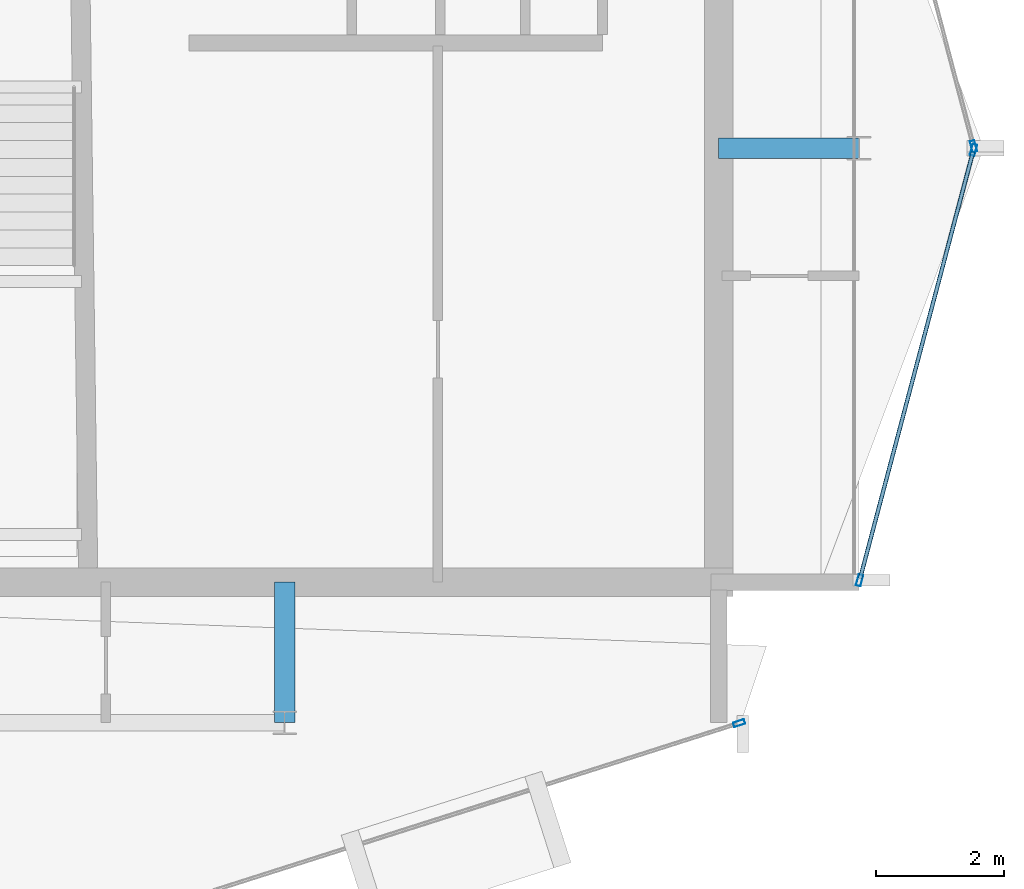
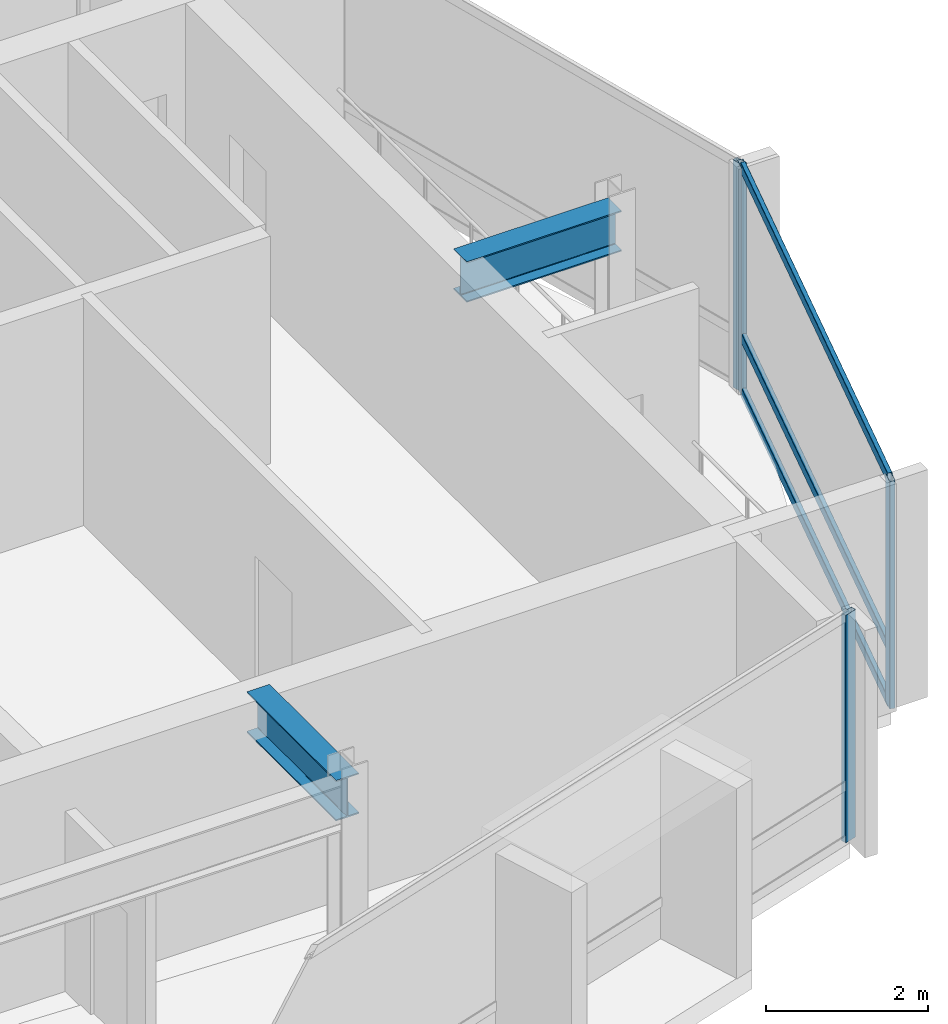
# One storey, part 9 of 19: 7 members, 2 beams, 3 elements without a shape of their own.
"""IFC4 building model written with IfcOpenShell, lengths in metres."""

from ifc_helpers import new_model, si_unit, direction, frame, origin, origin_2d, place, context, subcontext, project, spatial, hollow_rectangle, i_section, extrude, material, layer, layer_set, material_profile, profile_set, type_object, element, aggregate, save


model = new_model("IFC4")

# Units and contexts
model_context = context("Model", 3, precision=1e-05, world=origin(), true_north=direction((0.0, 1.0)))
body_context = subcontext(model_context, "Body", "Model", "MODEL_VIEW")
ifc_project = project(units=[si_unit("LENGTHUNIT", "METRE"), si_unit("AREAUNIT", "SQUARE_METRE"), si_unit("VOLUMEUNIT", "CUBIC_METRE"), si_unit("PLANEANGLEUNIT", "RADIAN"), si_unit("MASSUNIT", "GRAM", prefix="KILO")], contexts=[model_context])

# Site, building, storey
site_placement = place(None, origin())
site = spatial("IfcSite", under=ifc_project, at=site_placement, CompositionType="ELEMENT")
building_placement = place(site_placement, origin())
building = spatial("IfcBuilding", under=site, at=building_placement, Name="Solvaryn Broadcast Tower", CompositionType="ELEMENT")
storey_placement = place(building_placement, frame((0.0, 0.0, 290.0)))
storey = spatial("IfcBuildingStorey", under=building, at=storey_placement, Name="L73", CompositionType="ELEMENT", Elevation=290.0)

# Beams
ifc_material_1 = material(Name="Steel ASTM A992 Grade 50", Category="steel")
ifc_material_profile_1 = material_profile(ifc_material_1, i_section(OverallWidth=0.323974609375, OverallDepth=0.611083984375, WebThickness=0.0126953125, FlangeThickness=0.01904296875, FilletRadius=0.014892578125, at=origin_2d()))
ifc_profile_set_1 = profile_set([ifc_material_profile_1], Name="Steel ASTM A992 Grade 50")
beam_type = type_object("IfcBeamType", Name="BM-B1-W24X104", PredefinedType="BEAM", material=ifc_profile_set_1)
for number, where, z_axis, x_axis, name in (
    (1, (36.0, 9.0, 3.114501953125), (0.0, 1.0, 0.0), (-1.0, 0.0, 0.0), "L73 Core Tie Beam CTE1"),
    (2, (42.800048828125, 18.0, 3.114501953125), (1.0, 0.0, 0.0), (0.0, 1.0, 0.0), "L73 Core Tie Beam CTE3"),
):
    element("IfcBeam", number, at=place(storey_placement, frame(where, z_axis=z_axis, x_axis=x_axis)), inside=storey, type_object=beam_type, Name=name, PredefinedType="BEAM", context=body_context, shape_type="SweptSolid", body=[
        extrude(i_section(OverallWidth=0.323974609375, OverallDepth=0.611083984375, WebThickness=0.0126953125, FlangeThickness=0.01904296875, FilletRadius=0.014892578125, at=origin_2d()), origin(), (0.0, 0.0, 1.0), 2.199951171875),
    ])

# Curtain wall, member
ifc_material_2 = material(Name="Aluminium and Terracotta Unitised Curtain Wall", Category="masonry")
ifc_layer = layer(ifc_material_2, 0.199951171875)
ifc_layer_set = layer_set([ifc_layer], Name="CW-SYS2-LOWMID")
curtain_wall_type = type_object("IfcCurtainWallType", Name="CW-SYS2-LOWMID", PredefinedType="NOTDEFINED", material=ifc_layer_set)
curtain_wall_1_placement = place(storey_placement, origin())
curtain_wall_1 = element("IfcCurtainWall", 3, at=curtain_wall_1_placement, inside=storey, type_object=curtain_wall_type, Name="L73 Curtain Wall DR4", PredefinedType="NOTDEFINED")
ifc_material_3 = material(Name="Anodised Aluminium 6063-T6", Category="aluminium")
ifc_material_profile_2 = material_profile(ifc_material_3, hollow_rectangle(XDim=0.074951171875, YDim=0.179931640625, WallThickness=0.00390625, InnerFilletRadius=0.00390625, OuterFilletRadius=0.008056640625, at=origin_2d()))
ifc_profile_set_2 = profile_set([ifc_material_profile_2], Name="Anodised Aluminium 6063-T6")
member_type_1 = type_object("IfcMemberType", Name="CW-MUL-180", PredefinedType="MULLION", material=ifc_profile_set_2)
member_1_placement = place(storey_placement, frame((43.120361328125, 8.990966796875, 0.0), z_axis=(0.0, 0.0, 1.0), x_axis=(-0.30361564569, 0.952794594701, 0.0)))
member_1 = element("IfcMember", 4, at=member_1_placement, type_object=member_type_1, Name="CWS2 mullion 2", PredefinedType="MULLION", context=body_context, shape_type="SweptSolid", body=[
    extrude(hollow_rectangle(XDim=0.074951171875, YDim=0.179931640625, WallThickness=0.00390625, InnerFilletRadius=0.00390625, OuterFilletRadius=0.008056640625, at=origin_2d()), origin(), (0.0, 0.0, 1.0), 3.419921875),
])
aggregate(curtain_wall_1, [member_1])

curtain_wall_2_placement = place(storey_placement, origin())
curtain_wall_2 = element("IfcCurtainWall", 5, at=curtain_wall_2_placement, inside=storey, type_object=curtain_wall_type, Name="L73 Curtain Wall ET1", PredefinedType="NOTDEFINED")
member_2_placement = place(storey_placement, frame((46.792236328125, 18.029052734375, 0.0), z_axis=(0.0, 0.0, 1.0), x_axis=(0.966705227863, 0.25589256031, 0.0)))
member_2 = element("IfcMember", 6, at=member_2_placement, type_object=member_type_1, Name="CWS2 mullion 2", PredefinedType="MULLION", context=body_context, shape_type="SweptSolid", body=[
    extrude(hollow_rectangle(XDim=0.074951171875, YDim=0.179931640625, WallThickness=0.00390625, InnerFilletRadius=0.00390625, OuterFilletRadius=0.008056640625, at=origin_2d()), origin(), (0.0, 0.0, 1.0), 3.419921875),
])
aggregate(curtain_wall_2, [member_2])

# Curtain wall, members
curtain_wall_3_placement = place(storey_placement, origin())
curtain_wall_3 = element("IfcCurtainWall", 7, at=curtain_wall_3_placement, inside=storey, type_object=curtain_wall_type, Name="L73 Curtain Wall ET2", PredefinedType="NOTDEFINED")
member_3_placement = place(storey_placement, frame((46.792236328125, 17.970947265625, 0.0), z_axis=(0.0, 0.0, 1.0), x_axis=(0.966705227863, -0.25589256031, 0.0)))
member_3 = element("IfcMember", 8, at=member_3_placement, type_object=member_type_1, Name="CWS2 mullion 1", PredefinedType="MULLION", context=body_context, shape_type="SweptSolid", body=[
    extrude(hollow_rectangle(XDim=0.074951171875, YDim=0.179931640625, WallThickness=0.00390625, InnerFilletRadius=0.00390625, OuterFilletRadius=0.008056640625, at=origin_2d()), origin(), (0.0, 0.0, 1.0), 3.419921875),
])
member_4_placement = place(storey_placement, frame((45.007568359375, 11.22900390625, 0.0), z_axis=(0.0, 0.0, 1.0), x_axis=(0.966705227863, -0.25589256031, 0.0)))
member_4 = element("IfcMember", 9, at=member_4_placement, type_object=member_type_1, Name="CWS2 mullion 2", PredefinedType="MULLION", context=body_context, shape_type="SweptSolid", body=[
    extrude(hollow_rectangle(XDim=0.074951171875, YDim=0.179931640625, WallThickness=0.00390625, InnerFilletRadius=0.00390625, OuterFilletRadius=0.008056640625, at=origin_2d()), origin(), (0.0, 0.0, 1.0), 3.419921875),
])
ifc_material_4 = material(Name="Anodised Aluminium 6063-T6", Category="aluminium")
ifc_material_profile_3 = material_profile(ifc_material_4, hollow_rectangle(XDim=0.06494140625, YDim=0.14990234375, WallThickness=0.00390625, InnerFilletRadius=0.00390625, OuterFilletRadius=0.008056640625, at=origin_2d()))
ifc_profile_set_3 = profile_set([ifc_material_profile_3], Name="Anodised Aluminium 6063-T6")
member_type_2 = type_object("IfcMemberType", Name="CW-TRN-150", PredefinedType="USERDEFINED", material=ifc_profile_set_3)
member_5_placement = place(storey_placement, frame((46.78466796875, 17.94189453125, 0.030029296875), z_axis=(-0.255897413051, -0.966703943301, 0.0), x_axis=(0.966703943301, -0.255897413051, 0.0)))
member_5 = element("IfcMember", 10, at=member_5_placement, type_object=member_type_2, Name="CWS2 transom 1.1", ObjectType="TRANSOM", PredefinedType="USERDEFINED", context=body_context, shape_type="SweptSolid", body=[
    extrude(hollow_rectangle(XDim=0.06494140625, YDim=0.14990234375, WallThickness=0.00390625, InnerFilletRadius=0.00390625, OuterFilletRadius=0.008056640625, at=origin_2d()), origin(), (0.0, 0.0, 1.0), 6.9140625),
])
member_6_placement = place(storey_placement, frame((46.78466796875, 17.94189453125, 0.85009765625), z_axis=(-0.255897413051, -0.966703943301, 0.0), x_axis=(0.966703943301, -0.255897413051, 0.0)))
member_6 = element("IfcMember", 11, at=member_6_placement, type_object=member_type_2, Name="CWS2 transom 1.2", ObjectType="TRANSOM", PredefinedType="USERDEFINED", context=body_context, shape_type="SweptSolid", body=[
    extrude(hollow_rectangle(XDim=0.06494140625, YDim=0.14990234375, WallThickness=0.00390625, InnerFilletRadius=0.00390625, OuterFilletRadius=0.008056640625, at=origin_2d()), origin(), (0.0, 0.0, 1.0), 6.9140625),
])
member_7_placement = place(storey_placement, frame((46.78466796875, 17.94189453125, 3.389892578125), z_axis=(-0.255897413051, -0.966703943301, 0.0), x_axis=(0.966703943301, -0.255897413051, 0.0)))
member_7 = element("IfcMember", 12, at=member_7_placement, type_object=member_type_2, Name="CWS2 transom 1.3", ObjectType="TRANSOM", PredefinedType="USERDEFINED", context=body_context, shape_type="SweptSolid", body=[
    extrude(hollow_rectangle(XDim=0.06494140625, YDim=0.14990234375, WallThickness=0.00390625, InnerFilletRadius=0.00390625, OuterFilletRadius=0.008056640625, at=origin_2d()), origin(), (0.0, 0.0, 1.0), 6.9140625),
])
aggregate(curtain_wall_3, [member_3, member_4, member_5, member_6, member_7])

save(model, "model.ifc")
